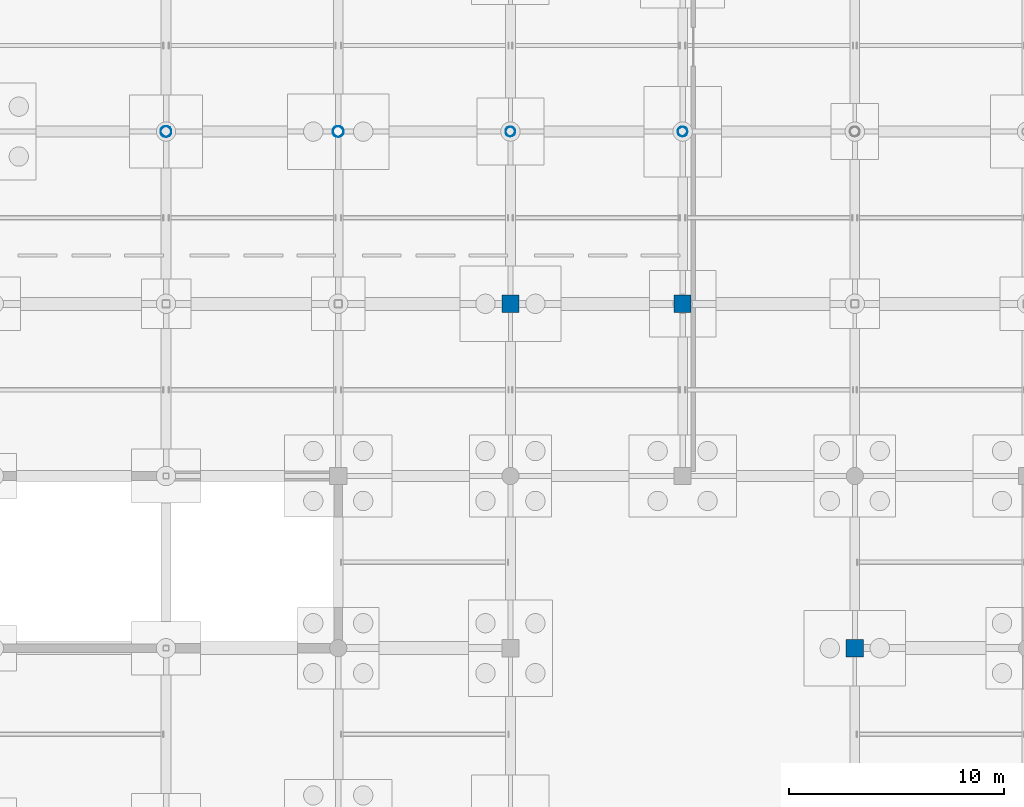
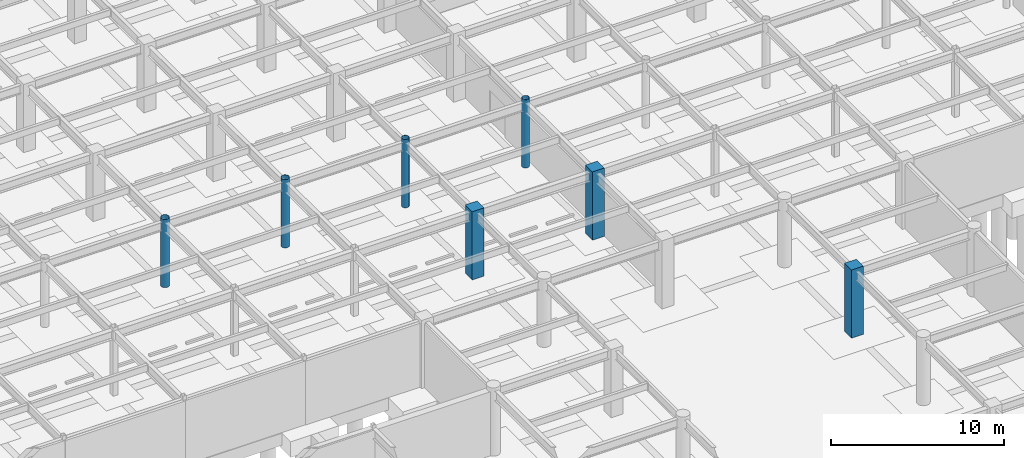
# One storey, part 30 of 105: 7 columns.
"""IFC4 building model written with IfcOpenShell, lengths in metres."""

from ifc_helpers import new_model, si_unit, direction, frame, origin, origin_2d, place, context, subcontext, project, spatial, rectangle, hollow_circle, extrude, material, material_profile, profile_set, type_object, element, save


model = new_model("IFC4")

# Units and contexts
model_context = context("Model", 3, precision=1e-05, world=origin(), true_north=direction((0.0, 1.0)))
body_context = subcontext(model_context, "Body", "Model", "MODEL_VIEW")
ifc_project = project(units=[si_unit("LENGTHUNIT", "METRE"), si_unit("AREAUNIT", "SQUARE_METRE"), si_unit("VOLUMEUNIT", "CUBIC_METRE"), si_unit("PLANEANGLEUNIT", "RADIAN"), si_unit("MASSUNIT", "GRAM", prefix="KILO")], contexts=[model_context])

# Site, building, storey
site_placement = place(None, origin())
site = spatial("IfcSite", under=ifc_project, at=site_placement, CompositionType="ELEMENT")
building_placement = place(site_placement, origin())
building = spatial("IfcBuilding", under=site, at=building_placement, Name="Solmirada Galleria", CompositionType="ELEMENT")
storey_placement = place(building_placement, frame((0.0, 0.0, -4.800048828125)))
storey = spatial("IfcBuildingStorey", under=building, at=storey_placement, Name="B1", CompositionType="ELEMENT", Elevation=-4.800048828125)

# Columns
ifc_material_1 = material(Name="Steel S355 / ASTM A500 Grade C", Category="steel")
ifc_material_profile_1 = material_profile(ifc_material_1, hollow_circle(Radius=0.228515625, WallThickness=0.01171875, at=origin_2d()), Name="HSS18.000X0.500")
ifc_profile_set_1 = profile_set([ifc_material_profile_1], Name="Steel S355 / ASTM A500 Grade C")
column_type_1 = type_object("IfcColumnType", Name="COL-CHS18", PredefinedType="COLUMN", material=ifc_profile_set_1)
for number, where, z_axis, x_axis, name in (
    (1, (88.0, 88.0, 0.0), (0.0, 0.0, 1.0), (1.0, 0.0, 0.0), "Structural column B1-0549"),
    (2, (96.0, 88.0, 0.0), (0.0, 0.0, 1.0), (1.0, 0.0, 0.0), "Structural column B1-0657"),
):
    element("IfcColumn", number, at=place(storey_placement, frame(where, z_axis=z_axis, x_axis=x_axis)), inside=storey, type_object=column_type_1, Name=name, PredefinedType="COLUMN", context=body_context, shape_type="SweptSolid", body=[
        extrude(hollow_circle(Radius=0.228515625, WallThickness=0.01171875, at=origin_2d()), origin(), (0.0, 0.0, 1.0), 4.800048828125),
    ])
ifc_material_profile_2 = material_profile(ifc_material_1, hollow_circle(Radius=0.25390625, WallThickness=0.01171875, at=origin_2d()), Name="HSS20.000X0.500")
ifc_profile_set_2 = profile_set([ifc_material_profile_2], Name="Steel S355 / ASTM A500 Grade C")
column_type_2 = type_object("IfcColumnType", Name="COL-CHS20", PredefinedType="COLUMN", material=ifc_profile_set_2)
for number, where, z_axis, x_axis, name in (
    (3, (72.0, 88.0, 0.0), (0.0, 0.0, 1.0), (1.0, 0.0, 0.0), "Structural column B1-0310"),
    (4, (80.0, 88.0, 0.0), (0.0, 0.0, 1.0), (1.0, 0.0, 0.0), "Structural column B1-0427"),
):
    element("IfcColumn", number, at=place(storey_placement, frame(where, z_axis=z_axis, x_axis=x_axis)), inside=storey, type_object=column_type_2, Name=name, PredefinedType="COLUMN", context=body_context, shape_type="SweptSolid", body=[
        extrude(hollow_circle(Radius=0.25390625, WallThickness=0.01171875, at=origin_2d()), origin(), (0.0, 0.0, 1.0), 4.800048828125),
    ])
ifc_material_2 = material(Name="Concrete C40/50", Category="concrete")
ifc_material_profile_3 = material_profile(ifc_material_2, rectangle(XDim=0.800048828125, YDim=0.800048828125, at=origin_2d()), Name="RC800X800")
ifc_profile_set_3 = profile_set([ifc_material_profile_3], Name="Concrete C40/50")
column_type_3 = type_object("IfcColumnType", Name="COL-RC800", PredefinedType="COLUMN", material=ifc_profile_set_3)
for number, where, z_axis, x_axis, name in (
    (5, (88.0, 80.0, 0.0), (0.0, 0.0, 1.0), (1.0, 0.0, 0.0), "Structural column B1-0542"),
    (6, (96.0, 80.0, 0.0), (0.0, 0.0, 1.0), (1.0, 0.0, 0.0), "Structural column B1-0650"),
    (7, (104.0, 64.0, 0.0), (0.0, 0.0, 1.0), (1.0, 0.0, 0.0), "Structural column B1-0749"),
):
    element("IfcColumn", number, at=place(storey_placement, frame(where, z_axis=z_axis, x_axis=x_axis)), inside=storey, type_object=column_type_3, Name=name, PredefinedType="COLUMN", context=body_context, shape_type="SweptSolid", body=[
        extrude(rectangle(XDim=0.800048828125, YDim=0.800048828125, at=origin_2d()), origin(), (0.0, 0.0, 1.0), 4.800048828125),
    ])

save(model, "model.ifc")
